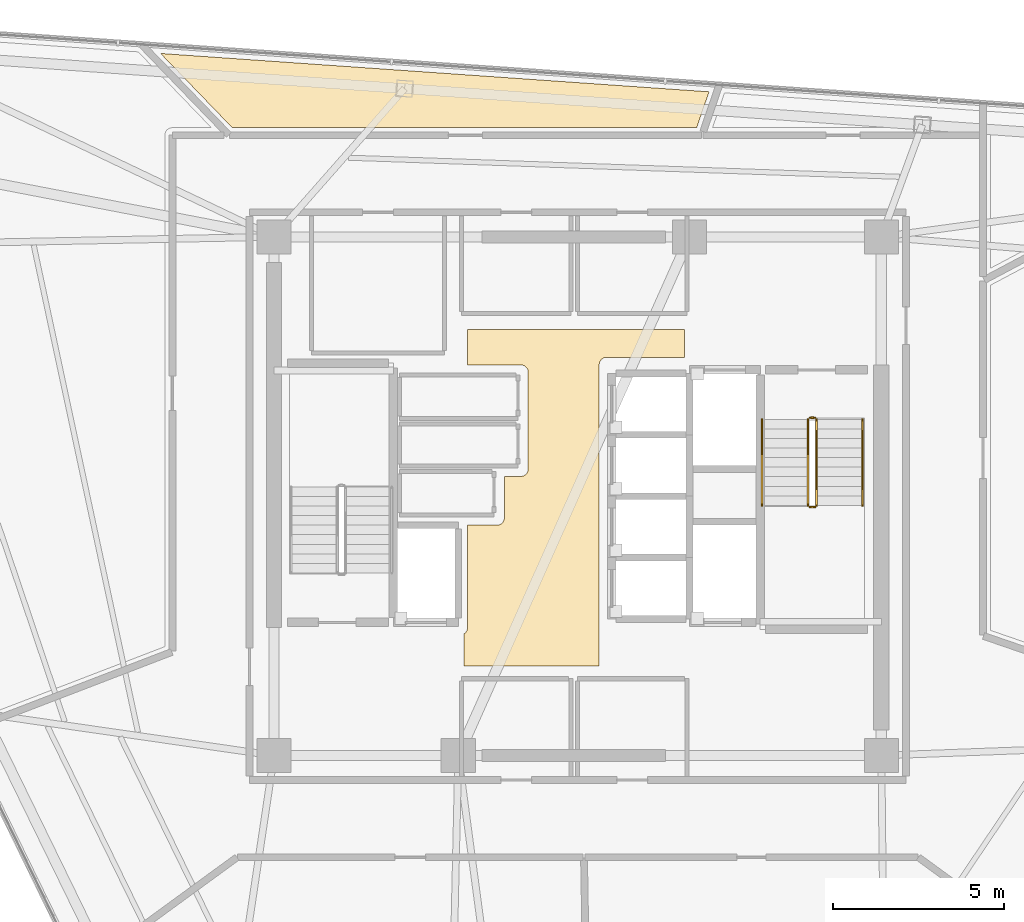
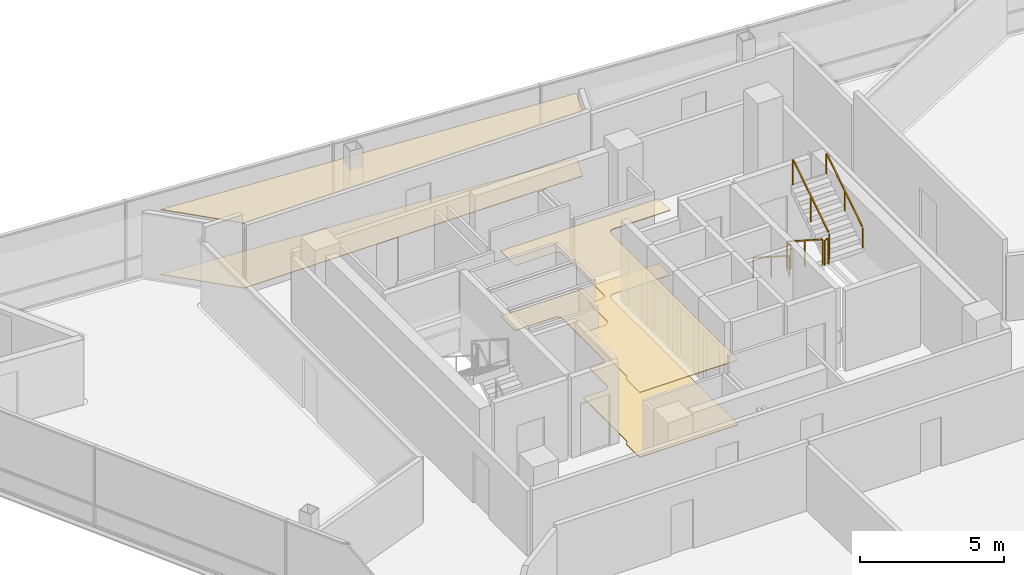
# One storey, part 13 of 14: 6 railings, 4 coverings.
"""IFC4 building model written with IfcOpenShell, lengths in metres."""

from ifc_helpers import new_model, si_unit, direction, frame, origin, origin_2d, place, context, subcontext, project, spatial, polyline, rectangle, outline, extrude, material, layer, layer_set, type_object, element, save


model = new_model("IFC4")

# Units and contexts
model_context = context("Model", 3, precision=1e-05, world=origin(), true_north=direction((0.0, 1.0)))
body_context = subcontext(model_context, "Body", "Model", "MODEL_VIEW")
ifc_project = project(units=[si_unit("LENGTHUNIT", "METRE"), si_unit("AREAUNIT", "SQUARE_METRE"), si_unit("VOLUMEUNIT", "CUBIC_METRE"), si_unit("PLANEANGLEUNIT", "RADIAN"), si_unit("MASSUNIT", "GRAM", prefix="KILO")], contexts=[model_context])

# Site, building, storey
site_placement = place(None, origin())
site = spatial("IfcSite", under=ifc_project, at=site_placement, CompositionType="ELEMENT")
building_placement = place(site_placement, origin())
building = spatial("IfcBuilding", under=site, at=building_placement, Name="Tharavind Bronze Gate", CompositionType="ELEMENT")
storey_placement = place(building_placement, frame((0.0, 0.0, 241.449951171875)))
storey = spatial("IfcBuildingStorey", under=building, at=storey_placement, Name="L62", CompositionType="ELEMENT", Elevation=241.449951171875)

# Coverings
ifc_material_1 = material(Name="Perforated Bronze Acoustic Panel", Category="bronze")
ifc_layer_1 = layer(ifc_material_1, 0.044921875)
ifc_layer_set_1 = layer_set([ifc_layer_1], Name="Perforated Bronze Acoustic Panel")
covering_type_1 = type_object("IfcCoveringType", Name="ACOUSTIC BRONZE BAFFLE CEILING", PredefinedType="CEILING", material=ifc_layer_set_1)
covering_1_placement = place(storey_placement, frame((0.0, 0.0, 2.75)))
element("IfcCovering", 1, at=covering_1_placement, inside=storey, type_object=covering_type_1, Name="L62-C-LL suspended ceiling", PredefinedType="CEILING", context=body_context, shape_type="SweptSolid", body=[
    extrude(outline(polyline([(-3.330078125, -4.97998046875), (0.6298828125, -4.97998046875), (0.6298828125, 3.85009765625), (0.631103515625, 3.87158203125), (0.63427734375, 3.892822265625), (0.639404296875, 3.913818359375), (0.646728515625, 3.93408203125), (0.656005859375, 3.95361328125), (0.6669921875, 3.97216796875), (0.679931640625, 3.989501953125), (0.6943359375, 4.005615234375), (0.71044921875, 4.02001953125), (0.727783203125, 4.032958984375), (0.746337890625, 4.0439453125), (0.765869140625, 4.05322265625), (0.7861328125, 4.060546875), (0.80712890625, 4.06591796875), (0.828369140625, 4.06884765625), (0.85009765625, 4.070068359375), (3.1298828125, 4.070068359375), (3.1298828125, 4.8798828125), (-3.22998046875, 4.8798828125), (-3.22998046875, 3.85009765625), (-1.669921875, 3.85009765625), (-1.6484375, 3.848876953125), (-1.627197265625, 3.845703125), (-1.606201171875, 3.840576171875), (-1.585693359375, 3.833251953125), (-1.56640625, 3.823974609375), (-1.5478515625, 3.81298828125), (-1.530517578125, 3.800048828125), (-1.514404296875, 3.78564453125), (-1.5, 3.76953125), (-1.487060546875, 3.752197265625), (-1.47607421875, 3.733642578125), (-1.466796875, 3.714111328125), (-1.45947265625, 3.69384765625), (-1.4541015625, 3.6728515625), (-1.451171875, 3.651611328125), (-1.449951171875, 3.6298828125), (-1.449951171875, 0.800048828125), (-1.451171875, 0.7783203125), (-1.4541015625, 0.757080078125), (-1.45947265625, 0.736083984375), (-1.466796875, 0.7158203125), (-1.47607421875, 0.6962890625), (-1.487060546875, 0.677734375), (-1.5, 0.660400390625), (-1.514404296875, 0.644287109375), (-1.530517578125, 0.6298828125), (-1.5478515625, 0.6171875), (-1.56640625, 0.60595703125), (-1.585693359375, 0.5966796875), (-1.606201171875, 0.589599609375), (-1.627197265625, 0.584228515625), (-1.6484375, 0.5810546875), (-1.669921875, 0.580078125), (-2.14990234375, 0.580078125), (-2.14990234375, -0.6298828125), (-2.151123046875, -0.651611328125), (-2.154296875, -0.6728515625), (-2.159423828125, -0.69384765625), (-2.166748046875, -0.714111328125), (-2.176025390625, -0.733642578125), (-2.18701171875, -0.752197265625), (-2.199951171875, -0.76953125), (-2.21435546875, -0.78564453125), (-2.23046875, -0.800048828125), (-2.247802734375, -0.81298828125), (-2.266357421875, -0.823974609375), (-2.285888671875, -0.833251953125), (-2.30615234375, -0.840576171875), (-2.3271484375, -0.845703125), (-2.348388671875, -0.848876953125), (-2.3701171875, -0.85009765625), (-3.22998046875, -0.85009765625), (-3.22998046875, -3.85009765625), (-3.231201171875, -3.87158203125), (-3.234130859375, -3.892822265625), (-3.239501953125, -3.913818359375), (-3.24658203125, -3.93408203125), (-3.256103515625, -3.95361328125), (-3.26708984375, -3.97216796875), (-3.27978515625, -3.989501953125), (-3.29443359375, -4.005615234375), (-3.310302734375, -4.02001953125), (-3.327880859375, -4.032958984375), (-3.330078125, -4.0341796875), (-3.330078125, -4.97998046875)])), origin(), (0.0, 0.0, 1.0), 0.03515625),
])
ifc_material_2 = material(Name="Engineered Oak & Carpet Tile", Category="wood")
ifc_layer_2 = layer(ifc_material_2, 0.02490234375)
ifc_layer_set_2 = layer_set([ifc_layer_2], Name="Engineered Oak & Carpet Tile")
covering_type_2 = type_object("IfcCoveringType", Name="ENGINEERED TIMBER FLOORING", PredefinedType="FLOORING", material=ifc_layer_set_2)
covering_2_placement = place(storey_placement, origin())
element("IfcCovering", 2, at=covering_2_placement, inside=storey, type_object=covering_type_2, Name="L62-RM-02 floor finish", PredefinedType="FLOORING", context=body_context, shape_type="SweptSolid", body=[
    extrude(outline(polyline([(-10.12353515625, 10.800048828125), (3.486083984375, 10.800048828125), (3.848388671875, 11.85205078125), (-12.22509765625, 12.97607421875), (-10.12353515625, 10.800048828125)])), origin(), (0.0, 0.0, 1.0), 0.025146484375),
])
ifc_material_3 = material(Name="Acoustic Gypsum Board", Category="gypsum")
ifc_layer_3 = layer(ifc_material_3, 0.030029296875)
ifc_layer_set_3 = layer_set([ifc_layer_3], Name="Acoustic Gypsum Board")
covering_type_3 = type_object("IfcCoveringType", Name="GYPSUM SUSPENDED CEILING", PredefinedType="CEILING", material=ifc_layer_set_3)
covering_3_placement = place(storey_placement, frame((0.0, 0.0, 2.75)))
element("IfcCovering", 3, at=covering_3_placement, inside=storey, type_object=covering_type_3, Name="L62-RM-02 suspended ceiling", PredefinedType="CEILING", context=body_context, shape_type="SweptSolid", body=[
    extrude(outline(polyline([(-10.12353515625, 10.800048828125), (3.486083984375, 10.800048828125), (3.848388671875, 11.85205078125), (-12.22509765625, 12.97607421875), (-10.12353515625, 10.800048828125)])), origin(), (0.0, 0.0, 1.0), 0.03515625),
])
ifc_material_4 = material(Name="Honed Travertine Limestone", Category="masonry")
ifc_layer_4 = layer(ifc_material_4, 0.030029296875)
ifc_layer_set_4 = layer_set([ifc_layer_4], Name="Honed Travertine Limestone")
covering_type_4 = type_object("IfcCoveringType", Name="HONED LIMESTONE FLOORING", PredefinedType="FLOORING", material=ifc_layer_set_4)
covering_4_placement = place(storey_placement, origin())
element("IfcCovering", 4, at=covering_4_placement, inside=storey, type_object=covering_type_4, Name="L62-C-LL floor finish", PredefinedType="FLOORING", context=body_context, shape_type="SweptSolid", body=[
    extrude(outline(polyline([(-3.330078125, -4.97998046875), (0.6298828125, -4.97998046875), (0.6298828125, 3.85009765625), (0.631103515625, 3.87158203125), (0.63427734375, 3.892822265625), (0.639404296875, 3.913818359375), (0.646728515625, 3.93408203125), (0.656005859375, 3.95361328125), (0.6669921875, 3.97216796875), (0.679931640625, 3.989501953125), (0.6943359375, 4.005615234375), (0.71044921875, 4.02001953125), (0.727783203125, 4.032958984375), (0.746337890625, 4.0439453125), (0.765869140625, 4.05322265625), (0.7861328125, 4.060546875), (0.80712890625, 4.06591796875), (0.828369140625, 4.06884765625), (0.85009765625, 4.070068359375), (3.1298828125, 4.070068359375), (3.1298828125, 4.8798828125), (-3.22998046875, 4.8798828125), (-3.22998046875, 3.85009765625), (-1.669921875, 3.85009765625), (-1.6484375, 3.848876953125), (-1.627197265625, 3.845703125), (-1.606201171875, 3.840576171875), (-1.585693359375, 3.833251953125), (-1.56640625, 3.823974609375), (-1.5478515625, 3.81298828125), (-1.530517578125, 3.800048828125), (-1.514404296875, 3.78564453125), (-1.5, 3.76953125), (-1.487060546875, 3.752197265625), (-1.47607421875, 3.733642578125), (-1.466796875, 3.714111328125), (-1.45947265625, 3.69384765625), (-1.4541015625, 3.6728515625), (-1.451171875, 3.651611328125), (-1.449951171875, 3.6298828125), (-1.449951171875, 0.800048828125), (-1.451171875, 0.7783203125), (-1.4541015625, 0.757080078125), (-1.45947265625, 0.736083984375), (-1.466796875, 0.7158203125), (-1.47607421875, 0.6962890625), (-1.487060546875, 0.677734375), (-1.5, 0.660400390625), (-1.514404296875, 0.644287109375), (-1.530517578125, 0.6298828125), (-1.5478515625, 0.6171875), (-1.56640625, 0.60595703125), (-1.585693359375, 0.5966796875), (-1.606201171875, 0.589599609375), (-1.627197265625, 0.584228515625), (-1.6484375, 0.5810546875), (-1.669921875, 0.580078125), (-2.14990234375, 0.580078125), (-2.14990234375, -0.6298828125), (-2.151123046875, -0.651611328125), (-2.154296875, -0.6728515625), (-2.159423828125, -0.69384765625), (-2.166748046875, -0.714111328125), (-2.176025390625, -0.733642578125), (-2.18701171875, -0.752197265625), (-2.199951171875, -0.76953125), (-2.21435546875, -0.78564453125), (-2.23046875, -0.800048828125), (-2.247802734375, -0.81298828125), (-2.266357421875, -0.823974609375), (-2.285888671875, -0.833251953125), (-2.30615234375, -0.840576171875), (-2.3271484375, -0.845703125), (-2.348388671875, -0.848876953125), (-2.3701171875, -0.85009765625), (-3.22998046875, -0.85009765625), (-3.22998046875, -3.85009765625), (-3.231201171875, -3.87158203125), (-3.234130859375, -3.892822265625), (-3.239501953125, -3.913818359375), (-3.24658203125, -3.93408203125), (-3.256103515625, -3.95361328125), (-3.26708984375, -3.97216796875), (-3.27978515625, -3.989501953125), (-3.29443359375, -4.005615234375), (-3.310302734375, -4.02001953125), (-3.327880859375, -4.032958984375), (-3.330078125, -4.0341796875), (-3.330078125, -4.97998046875)])), origin(), (0.0, 0.0, 1.0), 0.025146484375),
])

# Railings
ifc_material_5 = material(Name="Brushed Bronze Alloy", Category="metal")
railing_type_1 = type_object("IfcRailingType", Name="STAIR BRONZE HANDRAIL 900", PredefinedType="HANDRAIL", material=ifc_material_5)
railing_1_placement = place(storey_placement, frame((5.39990234375, 2.25, 0.179931640625)))
element("IfcRailing", 5, at=railing_1_placement, inside=storey, type_object=railing_type_1, Name="L62 ST2 stair handrail 1", PredefinedType="HANDRAIL", context=body_context, shape_type="SweptSolid", body=[
    extrude(rectangle(XDim=0.048095703125, YDim=0.048095703125, at=origin_2d()), frame((0.0, -0.02685546875, 0.89306640625), z_axis=(0.0, -0.841162588446, 0.540782303519), x_axis=(1.0, 0.0, 0.0)), (0.0, 0.0, 1.0), 2.931884765625),
    extrude(rectangle(XDim=0.0400390625, YDim=0.0400390625, at=origin_2d()), origin(), (0.0, 0.0, 1.0), 0.847900390625),
    extrude(rectangle(XDim=0.0400390625, YDim=0.0400390625, at=origin_2d()), frame((0.0, -1.260009765625, 0.81005859375)), (0.0, 0.0, 1.0), 0.847900390625),
    extrude(rectangle(XDim=0.0400390625, YDim=0.0400390625, at=origin_2d()), frame((0.0, -2.52001953125, 1.6201171875)), (0.0, 0.0, 1.0), 0.847900390625),
])
railing_2_placement = place(storey_placement, frame((8.35009765625, -0.27001953125, 1.97998046875)))
element("IfcRailing", 6, at=railing_2_placement, inside=storey, type_object=railing_type_1, Name="L62 ST2 stair handrail 2", PredefinedType="HANDRAIL", context=body_context, shape_type="SweptSolid", body=[
    extrude(rectangle(XDim=0.048095703125, YDim=0.048095703125, at=origin_2d()), frame((0.0, 0.02685546875, 0.89306640625), z_axis=(0.0, 0.841162588446, 0.540782303519), x_axis=(-1.0, 0.0, 0.0)), (0.0, 0.0, 1.0), 2.931884765625),
    extrude(rectangle(XDim=0.0400390625, YDim=0.0400390625, at=origin_2d()), origin(), (0.0, 0.0, 1.0), 0.847900390625),
    extrude(rectangle(XDim=0.0400390625, YDim=0.0400390625, at=origin_2d()), frame((0.0, 1.260009765625, 0.81005859375)), (0.0, 0.0, 1.0), 0.847900390625),
    extrude(rectangle(XDim=0.0400390625, YDim=0.0400390625, at=origin_2d()), frame((0.0, 2.52001953125, 1.6201171875)), (0.0, 0.0, 1.0), 0.847900390625),
])
railing_type_2 = type_object("IfcRailingType", Name="STAIR WELL GUARD RAILING 1120", PredefinedType="GUARDRAIL", material=ifc_material_5)
railing_3_placement = place(storey_placement, frame((6.75, 2.25, 0.179931640625)))
element("IfcRailing", 7, at=railing_3_placement, inside=storey, type_object=railing_type_2, Name="L62 ST2 stair guard 1", PredefinedType="GUARDRAIL", context=body_context, shape_type="SweptSolid", body=[
    extrude(rectangle(XDim=0.048095703125, YDim=0.048095703125, at=origin_2d()), frame((0.0, -0.02685546875, 1.11328125), z_axis=(0.0, -0.841162588446, 0.540782303519), x_axis=(1.0, 0.0, 0.0)), (0.0, 0.0, 1.0), 2.931884765625),
    extrude(rectangle(XDim=0.0400390625, YDim=0.0400390625, at=origin_2d()), origin(), (0.0, 0.0, 1.0), 1.068115234375),
    extrude(rectangle(XDim=0.0400390625, YDim=0.0400390625, at=origin_2d()), frame((0.0, -1.260009765625, 0.81005859375)), (0.0, 0.0, 1.0), 1.068115234375),
    extrude(rectangle(XDim=0.0400390625, YDim=0.0400390625, at=origin_2d()), frame((0.0, -2.52001953125, 1.6201171875)), (0.0, 0.0, 1.0), 1.068115234375),
])
railing_4_placement = place(storey_placement, frame((6.800048828125, -0.320068359375, 1.800048828125)))
element("IfcRailing", 8, at=railing_4_placement, inside=storey, type_object=railing_type_2, Name="L62 ST2 stair guard 2", PredefinedType="GUARDRAIL", context=body_context, shape_type="SweptSolid", body=[
    extrude(rectangle(XDim=0.048095703125, YDim=0.048095703125, at=origin_2d()), frame((0.031982421875, 0.0, 1.09619140625), z_axis=(1.0, 0.0, 0.0), x_axis=(0.0, 1.0, 0.0)), (0.0, 0.0, 1.0), 0.0859375),
    extrude(rectangle(XDim=0.0400390625, YDim=0.0400390625, at=origin_2d()), origin(), (0.0, 0.0, 1.0), 1.068115234375),
    extrude(rectangle(XDim=0.0400390625, YDim=0.0400390625, at=origin_2d()), frame((0.14990234375, 0.0, 0.0)), (0.0, 0.0, 1.0), 1.068115234375),
])
railing_5_placement = place(storey_placement, frame((7.0, -0.27001953125, 1.97998046875)))
element("IfcRailing", 9, at=railing_5_placement, inside=storey, type_object=railing_type_2, Name="L62 ST2 stair guard 3", PredefinedType="GUARDRAIL", context=body_context, shape_type="SweptSolid", body=[
    extrude(rectangle(XDim=0.048095703125, YDim=0.048095703125, at=origin_2d()), frame((0.0, 0.02685546875, 1.11328125), z_axis=(0.0, 0.841162588446, 0.540782303519), x_axis=(-1.0, 0.0, 0.0)), (0.0, 0.0, 1.0), 2.931884765625),
    extrude(rectangle(XDim=0.0400390625, YDim=0.0400390625, at=origin_2d()), origin(), (0.0, 0.0, 1.0), 1.068115234375),
    extrude(rectangle(XDim=0.0400390625, YDim=0.0400390625, at=origin_2d()), frame((0.0, 1.260009765625, 0.81005859375)), (0.0, 0.0, 1.0), 1.068115234375),
    extrude(rectangle(XDim=0.0400390625, YDim=0.0400390625, at=origin_2d()), frame((0.0, 2.52001953125, 1.6201171875)), (0.0, 0.0, 1.0), 1.068115234375),
])
railing_6_placement = place(storey_placement, frame((6.800048828125, 2.300048828125, 0.0)))
element("IfcRailing", 10, at=railing_6_placement, inside=storey, type_object=railing_type_2, Name="L62 ST2 stair guard 4", PredefinedType="GUARDRAIL", context=body_context, shape_type="SweptSolid", body=[
    extrude(rectangle(XDim=0.048095703125, YDim=0.048095703125, at=origin_2d()), frame((0.031982421875, 0.0, 1.09619140625), z_axis=(1.0, 0.0, 0.0), x_axis=(0.0, 1.0, 0.0)), (0.0, 0.0, 1.0), 0.0859375),
    extrude(rectangle(XDim=0.0400390625, YDim=0.0400390625, at=origin_2d()), origin(), (0.0, 0.0, 1.0), 1.068115234375),
    extrude(rectangle(XDim=0.0400390625, YDim=0.0400390625, at=origin_2d()), frame((0.14990234375, 0.0, 0.0)), (0.0, 0.0, 1.0), 1.068115234375),
])

save(model, "model.ifc")
